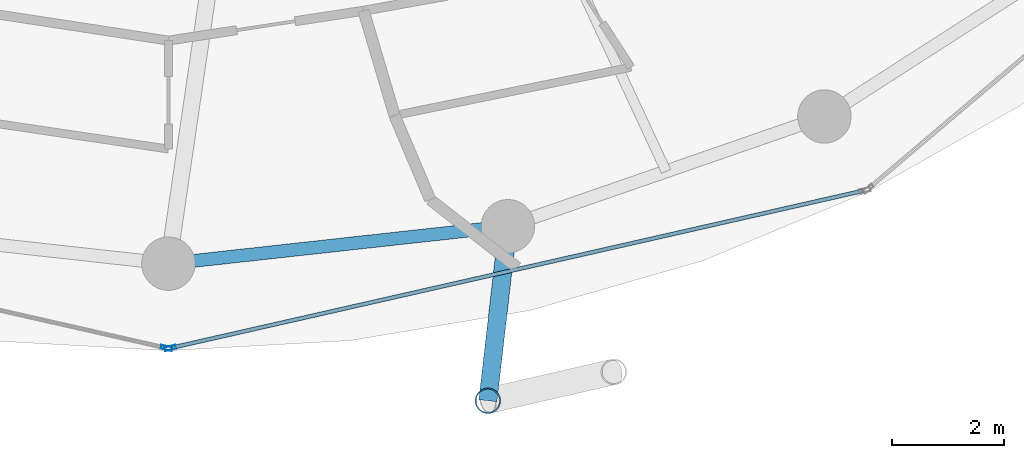
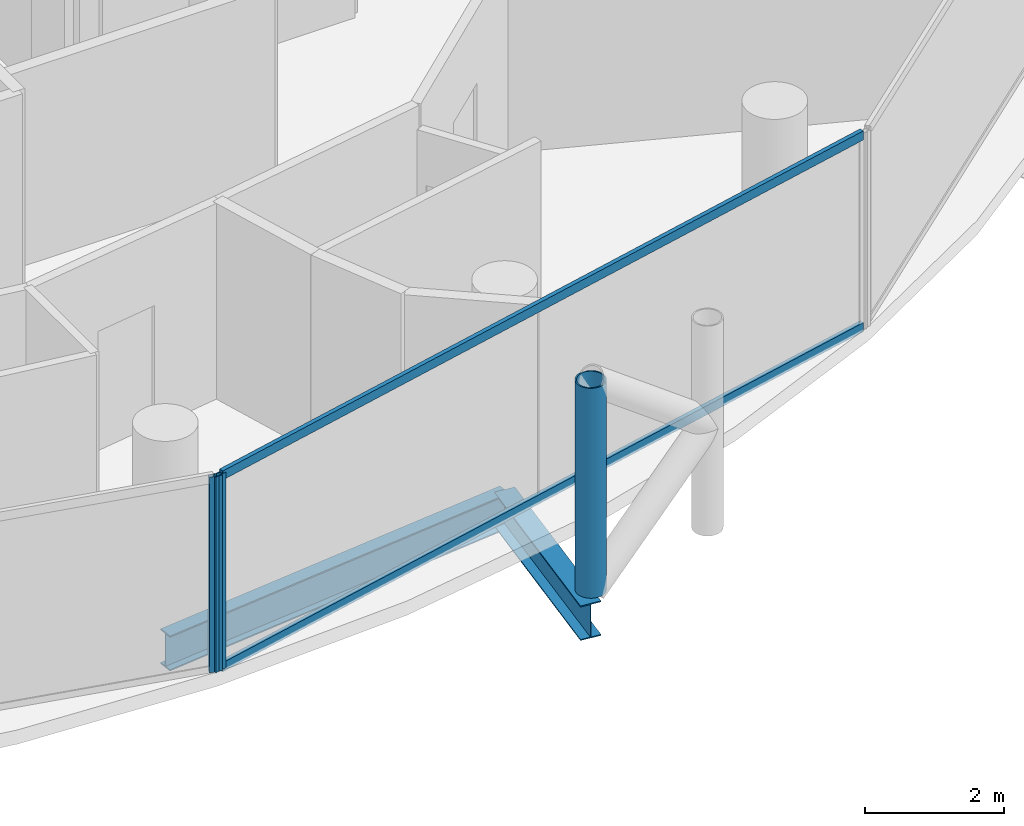
# One storey, part 4 of 26: 5 members, 2 beams, 2 elements without a shape of their own.
"""IFC4 building model written with IfcOpenShell, lengths in metres."""

from ifc_helpers import new_model, si_unit, direction, frame, origin, origin_2d, place, context, subcontext, project, spatial, hollow_rectangle, hollow_circle, i_section, extrude, material, layer, layer_set, material_profile, profile_set, type_object, element, aggregate, save


model = new_model("IFC4")

# Units and contexts
model_context = context("Model", 3, precision=1e-05, world=origin(), true_north=direction((0.0, 1.0)))
body_context = subcontext(model_context, "Body", "Model", "MODEL_VIEW")
ifc_project = project(units=[si_unit("LENGTHUNIT", "METRE"), si_unit("AREAUNIT", "SQUARE_METRE"), si_unit("VOLUMEUNIT", "CUBIC_METRE"), si_unit("PLANEANGLEUNIT", "RADIAN"), si_unit("MASSUNIT", "GRAM", prefix="KILO")], contexts=[model_context])

# Site, building, storey
site_placement = place(None, origin())
site = spatial("IfcSite", under=ifc_project, at=site_placement, CompositionType="ELEMENT")
building_placement = place(site_placement, origin())
building = spatial("IfcBuilding", under=site, at=building_placement, Name="Nuhasar Tower", CompositionType="ELEMENT")
storey_placement = place(building_placement, frame((0.0, 0.0, 147.85009765625)))
storey = spatial("IfcBuildingStorey", under=building, at=storey_placement, Name="L35", CompositionType="ELEMENT", Elevation=147.85009765625)

# Beams
ifc_material_1 = material(Name="Steel S355", Category="steel")
ifc_material_profile_1 = material_profile(ifc_material_1, i_section(OverallWidth=0.22998046875, OverallDepth=0.616943359375, WebThickness=0.01318359375, FlangeThickness=0.022216796875, at=origin_2d()), Name="W24X94")
ifc_profile_set_1 = profile_set([ifc_material_profile_1], Name="Steel S355")
beam_type_1 = type_object("IfcBeamType", Name="BM-RING-W24X94", PredefinedType="SPANDREL", material=ifc_profile_set_1)
beam_1_placement = place(storey_placement, frame((39.0, 7.25, -0.55908203125), z_axis=(0.993981289157, 0.109549974015, 0.0), x_axis=(-0.109549974015, 0.993981289157, 0.0)))
element("IfcBeam", 1, at=beam_1_placement, inside=storey, type_object=beam_type_1, Name="L35 Perimeter Ring Spandrel 19", PredefinedType="SPANDREL", context=body_context, shape_type="SweptSolid", body=[
    extrude(i_section(OverallWidth=0.22998046875, OverallDepth=0.616943359375, WebThickness=0.01318359375, FlangeThickness=0.022216796875, at=origin_2d()), origin(), (0.0, 0.0, 1.0), 6.07958984375),
])
ifc_material_profile_2 = material_profile(ifc_material_1, i_section(OverallWidth=0.323974609375, OverallDepth=0.611083984375, WebThickness=0.0126953125, FlangeThickness=0.01904296875, at=origin_2d()), Name="W24X104")
ifc_profile_set_2 = profile_set([ifc_material_profile_2], Name="Steel S355")
beam_type_2 = type_object("IfcBeamType", Name="BM-TIE-W24X104", PredefinedType="BEAM", material=ifc_profile_set_2)
beam_2_placement = place(storey_placement, frame((45.04296875, 7.916015625, -0.55615234375), z_axis=(-0.114167639647, -0.993461499031, 0.0), x_axis=(0.993461499031, -0.114167639647, 0.0)))
element("IfcBeam", 2, at=beam_2_placement, inside=storey, type_object=beam_type_2, Name="L35 Exoskeleton Node Tie Beam 10", PredefinedType="BEAM", context=body_context, shape_type="SweptSolid", body=[
    extrude(i_section(OverallWidth=0.323974609375, OverallDepth=0.611083984375, WebThickness=0.0126953125, FlangeThickness=0.01904296875, at=origin_2d()), origin(), (0.0, 0.0, 1.0), 3.12646484375),
])

# Curtain wall, member
ifc_material_2 = material(Name="Aluminium 6063-T6", Category="aluminium")
ifc_layer = layer(ifc_material_2, 0.199951171875)
ifc_layer_set = layer_set([ifc_layer], Name="Aluminium 6063-T6")
curtain_wall_type = type_object("IfcCurtainWallType", Name="CW-Z2-HTL", PredefinedType="NOTDEFINED", material=ifc_layer_set)
curtain_wall_1_placement = place(storey_placement, origin())
curtain_wall_1 = element("IfcCurtainWall", 3, at=curtain_wall_1_placement, inside=storey, type_object=curtain_wall_type, Name="L35 Unitised Curtain Wall 09", PredefinedType="NOTDEFINED")
ifc_material_profile_3 = material_profile(ifc_material_2, hollow_rectangle(XDim=0.070068359375, YDim=0.199951171875, WallThickness=0.0048828125, at=origin_2d()), Name="CWM-3")
ifc_profile_set_3 = profile_set([ifc_material_profile_3], Name="Aluminium 6063-T6")
member_type_1 = type_object("IfcMemberType", Name="CW-MUL-S3", PredefinedType="MULLION", material=ifc_profile_set_3)
member_1_placement = place(storey_placement, frame((38.9658203125, 5.747802734375, 0.0), z_axis=(0.0, 0.0, 1.0), x_axis=(0.22139729566, 0.975183694221, 0.0)))
member_1 = element("IfcMember", 4, at=member_1_placement, type_object=member_type_1, Name="CW-Z2 mullion 2", PredefinedType="MULLION", context=body_context, shape_type="SweptSolid", body=[
    extrude(hollow_rectangle(XDim=0.070068359375, YDim=0.199951171875, WallThickness=0.0048828125, at=origin_2d()), origin(), (0.0, 0.0, 1.0), 3.449951171875),
])
aggregate(curtain_wall_1, [member_1])

# Curtain wall, members
curtain_wall_2_placement = place(storey_placement, origin())
curtain_wall_2 = element("IfcCurtainWall", 5, at=curtain_wall_2_placement, inside=storey, type_object=curtain_wall_type, Name="L35 Unitised Curtain Wall 10", PredefinedType="NOTDEFINED")
member_2_placement = place(storey_placement, frame((39.0341796875, 5.747802734375, 0.0), z_axis=(0.0, 0.0, 1.0), x_axis=(-0.22139729566, 0.975183694221, 0.0)))
member_2 = element("IfcMember", 6, at=member_2_placement, type_object=member_type_1, Name="CW-Z2 mullion 1", PredefinedType="MULLION", context=body_context, shape_type="SweptSolid", body=[
    extrude(hollow_rectangle(XDim=0.070068359375, YDim=0.199951171875, WallThickness=0.0048828125, at=origin_2d()), origin(), (0.0, 0.0, 1.0), 3.449951171875),
])
ifc_material_profile_4 = material_profile(ifc_material_2, hollow_rectangle(XDim=0.070068359375, YDim=0.159912109375, WallThickness=0.00439453125, at=origin_2d()), Name="CWT-3")
ifc_profile_set_4 = profile_set([ifc_material_profile_4], Name="Aluminium 6063-T6")
member_type_2 = type_object("IfcMemberType", Name="CW-TRN-S3", PredefinedType="USERDEFINED", material=ifc_profile_set_4)
member_3_placement = place(storey_placement, frame((39.068359375, 5.755615234375, 0.034912109375), z_axis=(0.975187615691, 0.221380022142, 0.0), x_axis=(-0.221380022142, 0.975187615691, 0.0)))
member_3 = element("IfcMember", 7, at=member_3_placement, type_object=member_type_2, Name="CW-Z2 transom 1.1", ObjectType="TRANSOM", PredefinedType="USERDEFINED", context=body_context, shape_type="SweptSolid", body=[
    extrude(hollow_rectangle(XDim=0.070068359375, YDim=0.159912109375, WallThickness=0.00439453125, at=origin_2d()), origin(), (0.0, 0.0, 1.0), 12.606201171875),
])
member_4_placement = place(storey_placement, frame((39.068359375, 5.755615234375, 3.414794921875), z_axis=(0.975187615691, 0.221380022142, 0.0), x_axis=(-0.221380022142, 0.975187615691, 0.0)))
member_4 = element("IfcMember", 8, at=member_4_placement, type_object=member_type_2, Name="CW-Z2 transom 1.2", ObjectType="TRANSOM", PredefinedType="USERDEFINED", context=body_context, shape_type="SweptSolid", body=[
    extrude(hollow_rectangle(XDim=0.070068359375, YDim=0.159912109375, WallThickness=0.00439453125, at=origin_2d()), origin(), (0.0, 0.0, 1.0), 12.606201171875),
])
aggregate(curtain_wall_2, [member_2, member_3, member_4])

# Member
ifc_material_3 = material(Name="Steel S460", Category="steel")
ifc_material_profile_5 = material_profile(ifc_material_3, hollow_circle(Radius=0.228515625, WallThickness=0.022216796875, at=origin_2d()), Name="HSS457X22.2")
ifc_profile_set_5 = profile_set([ifc_material_profile_5], Name="Steel S460")
member_type_3 = type_object("IfcMemberType", Name="EXO-BRONZE-457", PredefinedType="BRACE", material=ifc_profile_set_5)
member_5_placement = place(storey_placement, frame((44.68603515625, 4.81005859375, 0.0), z_axis=(0.0, 0.0, 1.0), x_axis=(1.0, 0.0, 0.0)))
element("IfcMember", 9, at=member_5_placement, inside=storey, type_object=member_type_3, Name="L35 Exoskeleton Chord Column EC-10A", PredefinedType="BRACE", context=body_context, shape_type="SweptSolid", body=[
    extrude(hollow_circle(Radius=0.228515625, WallThickness=0.022216796875, at=origin_2d()), origin(), (0.0, 0.0, 1.0), 3.699951171875),
])

save(model, "model.ifc")
